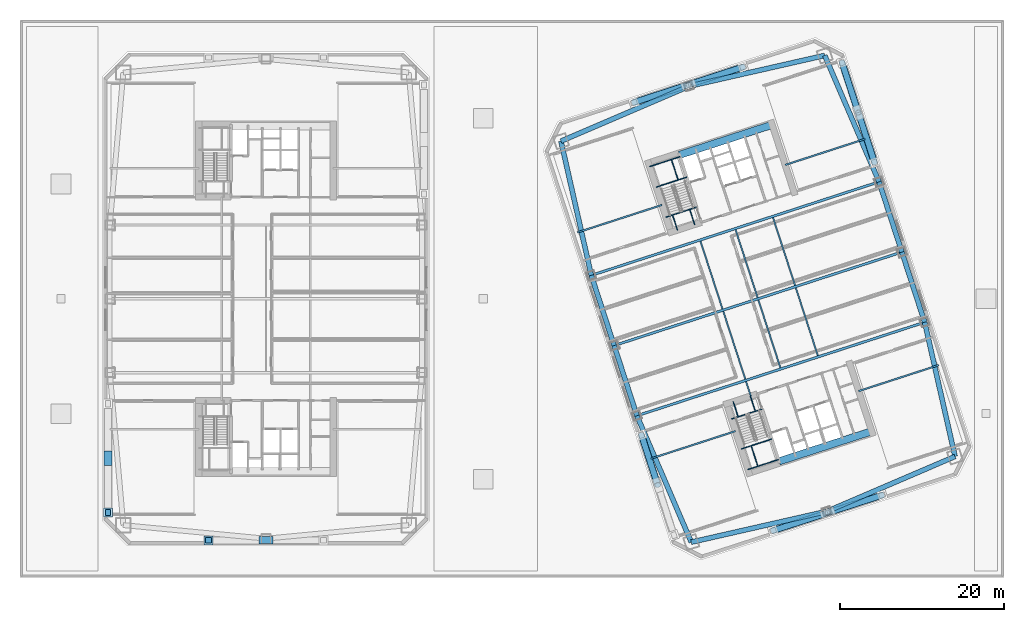
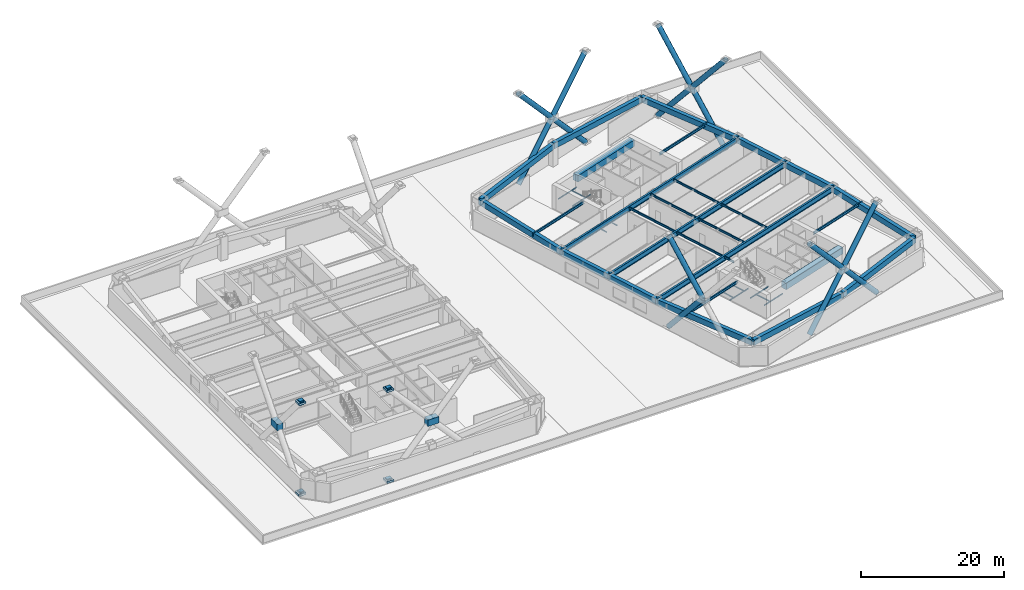
# One storey, part 2 of 20: 40 beams, 14 members, 10 plates.
"""IFC4 building model written with IfcOpenShell, lengths in metres."""

from ifc_helpers import new_model, si_unit, direction, frame, origin, origin_2d, place, context, subcontext, project, spatial, rectangle, hollow_circle, i_section, extrude, material, layer, layer_set, material_profile, profile_set, type_object, element, save


model = new_model("IFC4")

# Units and contexts
model_context = context("Model", 3, precision=1e-05, world=origin(), true_north=direction((0.0, 1.0)))
body_context = subcontext(model_context, "Body", "Model", "MODEL_VIEW")
ifc_project = project(units=[si_unit("LENGTHUNIT", "METRE"), si_unit("AREAUNIT", "SQUARE_METRE"), si_unit("VOLUMEUNIT", "CUBIC_METRE"), si_unit("PLANEANGLEUNIT", "RADIAN"), si_unit("MASSUNIT", "GRAM", prefix="KILO")], contexts=[model_context])

# Site, building, storey
site_placement = place(None, origin())
site = spatial("IfcSite", under=ifc_project, at=site_placement, CompositionType="ELEMENT")
building_placement = place(site_placement, origin())
building = spatial("IfcBuilding", under=site, at=building_placement, Name="Qiaolan Cultural Towers", CompositionType="ELEMENT")
storey_placement = place(building_placement, frame((0.0, 0.0, 26.0)))
storey = spatial("IfcBuildingStorey", under=building, at=storey_placement, Name="L05", CompositionType="ELEMENT", Elevation=26.0)

# Beams
ifc_material_1 = material(Name="Steel Q355B", Category="steel")
ifc_material_profile_1 = material_profile(ifc_material_1, i_section(OverallWidth=0.300048828125, OverallDepth=0.89990234375, WebThickness=0.01611328125, FlangeThickness=0.028076171875, at=origin_2d()), Name="HN900x300x16x28")
ifc_profile_set_1 = profile_set([ifc_material_profile_1], Name="Steel Q355B")
beam_type_1 = type_object("IfcBeamType", Name="BM-HN900x300x16x28", PredefinedType="BEAM", material=ifc_profile_set_1)
beam_1_placement = place(storey_placement, frame((75.234130859375, 19.739013671875, 3.2900390625), z_axis=(0.951055702987, 0.309019497469, 0.0), x_axis=(-0.309019497469, 0.951055702987, 0.0)))
element("IfcBeam", 1, at=beam_1_placement, inside=storey, type_object=beam_type_1, Name="L05 T2 Primary Transverse Girder V1", PredefinedType="BEAM", context=body_context, shape_type="SweptSolid", body=[
    extrude(i_section(OverallWidth=0.300048828125, OverallDepth=0.89990234375, WebThickness=0.01611328125, FlangeThickness=0.028076171875, at=origin_2d()), origin(), (0.0, 0.0, 1.0), 36.900146484375),
])
beam_2_placement = place(storey_placement, frame((72.453125, 28.298583984375, 3.2900390625), z_axis=(0.951055071173, 0.309021441968, 0.0), x_axis=(-0.309021441968, 0.951055071173, 0.0)))
element("IfcBeam", 2, at=beam_2_placement, inside=storey, type_object=beam_type_1, Name="L05 T2 Primary Transverse Girder V2", PredefinedType="BEAM", context=body_context, shape_type="SweptSolid", body=[
    extrude(i_section(OverallWidth=0.300048828125, OverallDepth=0.89990234375, WebThickness=0.01611328125, FlangeThickness=0.028076171875, at=origin_2d()), origin(), (0.0, 0.0, 1.0), 36.89990234375),
])
beam_3_placement = place(storey_placement, frame((69.671875, 36.858154296875, 3.2900390625), z_axis=(0.951055702987, 0.309019497469, 0.0), x_axis=(-0.309019497469, 0.951055702987, 0.0)))
element("IfcBeam", 3, at=beam_3_placement, inside=storey, type_object=beam_type_1, Name="L05 T2 Primary Transverse Girder V3", PredefinedType="BEAM", context=body_context, shape_type="SweptSolid", body=[
    extrude(i_section(OverallWidth=0.300048828125, OverallDepth=0.89990234375, WebThickness=0.01611328125, FlangeThickness=0.028076171875, at=origin_2d()), origin(), (0.0, 0.0, 1.0), 36.900146484375),
])
ifc_material_2 = material(Name="Steel Q355B", Category="steel")
ifc_material_profile_2 = material_profile(ifc_material_2, i_section(OverallWidth=0.175048828125, OverallDepth=0.35009765625, WebThickness=0.007080078125, FlangeThickness=0.010986328125, at=origin_2d()), Name="HN350x175x7x11")
ifc_profile_set_2 = profile_set([ifc_material_profile_2], Name="Steel Q355B")
beam_type_2 = type_object("IfcBeamType", Name="BM-JST-HN350x175x7x11", PredefinedType="JOIST", material=ifc_profile_set_2)
beam_4_placement = place(storey_placement, frame((89.119384765625, 22.147705078125, 3.56494140625), z_axis=(-0.308933885266, 0.951083516067, 0.0), x_axis=(-0.951083516067, -0.308933885266, 0.0)))
element("IfcBeam", 4, at=beam_4_placement, inside=storey, type_object=beam_type_2, Name="L05 T2 Secondary Floor Joist U1-1", PredefinedType="JOIST", context=body_context, shape_type="SweptSolid", body=[
    extrude(i_section(OverallWidth=0.175048828125, OverallDepth=0.35009765625, WebThickness=0.007080078125, FlangeThickness=0.010986328125, at=origin_2d()), origin(), (0.0, 0.0, 1.0), 1.85009765625),
])
for number, where, z_axis, x_axis, name in (
    (5, (88.455078125, 24.192626953125, 3.56494140625), (-0.309020714809, 0.951055307445, 0.0), (-0.951055307445, -0.309020714809, 0.0), "L05 T2 Secondary Floor Joist U1-2"),
    (6, (85.673828125, 32.752197265625, 3.56494140625), (-0.309020714809, 0.951055307445, 0.0), (-0.951055307445, -0.309020714809, 0.0), "L05 T2 Secondary Floor Joist U1-3"),
    (7, (92.73486328125, 25.583251953125, 3.56494140625), (-0.309020714809, 0.951055307445, 0.0), (-0.951055307445, -0.309020714809, 0.0), "L05 T2 Secondary Floor Joist U2-2"),
    (8, (89.95361328125, 34.142578125, 3.56494140625), (-0.309020714809, 0.951055307445, 0.0), (-0.951055307445, -0.309020714809, 0.0), "L05 T2 Secondary Floor Joist U2-3"),
    (9, (97.2998046875, 27.06640625, 3.56494140625), (-0.309020714809, 0.951055307445, 0.0), (-0.951055307445, -0.309020714809, 0.0), "L05 T2 Secondary Floor Joist U3-2"),
    (10, (94.518798828125, 35.6259765625, 3.56494140625), (-0.309020714809, 0.951055307445, 0.0), (-0.951055307445, -0.309020714809, 0.0), "L05 T2 Secondary Floor Joist U3-3"),
):
    element("IfcBeam", number, at=place(storey_placement, frame(where, z_axis=z_axis, x_axis=x_axis)), inside=storey, type_object=beam_type_2, Name=name, PredefinedType="JOIST", context=body_context, shape_type="SweptSolid", body=[
        extrude(i_section(OverallWidth=0.175048828125, OverallDepth=0.35009765625, WebThickness=0.007080078125, FlangeThickness=0.010986328125, at=origin_2d()), origin(), (0.0, 0.0, 1.0), 8.699951171875),
    ])
ifc_material_3 = material(Name="Steel Q355B", Category="steel")
ifc_material_profile_3 = material_profile(ifc_material_3, i_section(OverallWidth=0.199951171875, OverallDepth=0.449951171875, WebThickness=0.009033203125, FlangeThickness=0.013916015625, at=origin_2d()), Name="HN450x200x9x14")
ifc_profile_set_3 = profile_set([ifc_material_profile_3], Name="Steel Q355B")
beam_type_3 = type_object("IfcBeamType", Name="BM-LNT-HN450x200x9x14", PredefinedType="LINTEL", material=ifc_profile_set_3)
beam_5_placement = place(storey_placement, frame((87.252685546875, 17.861083984375, 3.514892578125), z_axis=(-0.95105688584, -0.30901585703, 0.0), x_axis=(0.30901585703, -0.95105688584, 0.0)))
element("IfcBeam", 11, at=beam_5_placement, inside=storey, type_object=beam_type_3, Name="L05 T2 Core Flank Tie Lintel WS", PredefinedType="LINTEL", context=body_context, shape_type="SweptSolid", body=[
    extrude(i_section(OverallWidth=0.199951171875, OverallDepth=0.449951171875, WebThickness=0.009033203125, FlangeThickness=0.013916015625, at=origin_2d()), origin(), (0.0, 0.0, 1.0), 10.849853515625),
])
beam_6_placement = place(storey_placement, frame((78.291259765625, 45.44189453125, 3.514892578125), z_axis=(-0.951052421511, -0.309029596542, 0.0), x_axis=(0.309029596542, -0.951052421511, 0.0)))
element("IfcBeam", 12, at=beam_6_placement, inside=storey, type_object=beam_type_3, Name="L05 T2 Core Flank Tie Lintel WN", PredefinedType="LINTEL", context=body_context, shape_type="SweptSolid", body=[
    extrude(i_section(OverallWidth=0.199951171875, OverallDepth=0.449951171875, WebThickness=0.009033203125, FlangeThickness=0.013916015625, at=origin_2d()), origin(), (0.0, 0.0, 1.0), 10.85009765625),
])
beam_7_placement = place(storey_placement, frame((102.279296875, 22.74365234375, 3.514892578125), z_axis=(0.951056820587, 0.309016057859, 0.0), x_axis=(-0.309016057859, 0.951056820587, 0.0)))
element("IfcBeam", 13, at=beam_7_placement, inside=storey, type_object=beam_type_3, Name="L05 T2 Core Flank Tie Lintel ES", PredefinedType="LINTEL", context=body_context, shape_type="SweptSolid", body=[
    extrude(i_section(OverallWidth=0.199951171875, OverallDepth=0.449951171875, WebThickness=0.009033203125, FlangeThickness=0.013916015625, at=origin_2d()), origin(), (0.0, 0.0, 1.0), 10.250244140625),
])
beam_8_placement = place(storey_placement, frame((93.31787109375, 50.32421875, 3.514892578125), z_axis=(0.951054546097, 0.309023057955, 0.0), x_axis=(-0.309023057955, 0.951054546097, 0.0)))
element("IfcBeam", 14, at=beam_8_placement, inside=storey, type_object=beam_type_3, Name="L05 T2 Core Flank Tie Lintel EN", PredefinedType="LINTEL", context=body_context, shape_type="SweptSolid", body=[
    extrude(i_section(OverallWidth=0.199951171875, OverallDepth=0.449951171875, WebThickness=0.009033203125, FlangeThickness=0.013916015625, at=origin_2d()), origin(), (0.0, 0.0, 1.0), 10.25),
])
ifc_material_4 = material(Name="Concrete C50", Category="concrete")
ifc_material_profile_4 = material_profile(ifc_material_4, rectangle(XDim=0.89990234375, YDim=1.10009765625, at=origin_2d()), Name="RC900x1100")
ifc_profile_set_4 = profile_set([ifc_material_profile_4], Name="Concrete C50")
beam_type_4 = type_object("IfcBeamType", Name="BM-RC900x1100", PredefinedType="BEAM", material=ifc_profile_set_4)
for number, where, z_axis, x_axis, name in (
    (15, (92.572265625, 14.174560546875, 3.18994140625), (0.951056266386, 0.309017763514, 0.0), (-0.309017763514, 0.951056266386, 0.0), "L05 T2 Core Header Girder S"),
    (16, (80.427978515625, 51.551025390625, 3.18994140625), (0.951056266386, 0.309017763514, 0.0), (-0.309017763514, 0.951056266386, 0.0), "L05 T2 Core Header Girder N"),
):
    element("IfcBeam", number, at=place(storey_placement, frame(where, z_axis=z_axis, x_axis=x_axis)), inside=storey, type_object=beam_type_4, Name=name, PredefinedType="BEAM", context=body_context, shape_type="SweptSolid", body=[
        extrude(rectangle(XDim=0.89990234375, YDim=1.10009765625, at=origin_2d()), origin(), (0.0, 0.0, 1.0), 11.880126953125),
    ])
ifc_material_5 = material(Name="Concrete C50", Category="concrete")
ifc_material_profile_5 = material_profile(ifc_material_5, rectangle(XDim=0.60009765625, YDim=0.949951171875, at=origin_2d()), Name="RC600x950")
ifc_profile_set_5 = profile_set([ifc_material_profile_5], Name="Concrete C50")
beam_type_5 = type_object("IfcBeamType", Name="BM-SPD-RC600x950", PredefinedType="SPANDREL", material=ifc_profile_set_5)
for number, where, z_axis, x_axis, name in (
    (17, (81.862548828125, 4.32275390625, 3.264892578125), (0.975161095889, 0.221496810506, 0.0), (-0.221496810506, 0.975161095889, 0.0), "L05 T2 Perimeter Spandrel Beam 1"),
    (18, (98.420654296875, 8.083740234375, 3.264892578125), (0.919108584923, 0.394004326272, 0.0), (-0.394004326272, 0.919108584923, 0.0), "L05 T2 Perimeter Spandrel Beam 2"),
):
    element("IfcBeam", number, at=place(storey_placement, frame(where, z_axis=z_axis, x_axis=x_axis)), inside=storey, type_object=beam_type_5, Name=name, PredefinedType="SPANDREL", context=body_context, shape_type="SweptSolid", body=[
        extrude(rectangle(XDim=0.60009765625, YDim=0.949951171875, at=origin_2d()), origin(), (0.0, 0.0, 1.0), 16.97998046875),
    ])
beam_9_placement = place(storey_placement, frame((114.027099609375, 14.77392578125, 3.264892578125), z_axis=(-0.220430557386, 0.975402670373, 0.0), x_axis=(-0.975402670373, -0.220430557386, 0.0)))
element("IfcBeam", 19, at=beam_9_placement, inside=storey, type_object=beam_type_5, Name="L05 T2 Perimeter Spandrel Beam 3", PredefinedType="SPANDREL", context=body_context, shape_type="SweptSolid", body=[
    extrude(rectangle(XDim=0.60009765625, YDim=0.949951171875, at=origin_2d()), origin(), (0.0, 0.0, 1.0), 16.78076171875),
])
for number, where, z_axis, x_axis, name in (
    (20, (110.328125, 31.141845703125, 3.264892578125), (-0.309024734286, 0.951054001411, 0.0), (-0.951054001411, -0.309024734286, 0.0), "L05 T2 Perimeter Spandrel Beam 4"),
    (21, (107.546875, 39.701416015625, 3.264892578125), (-0.309000197986, 0.951061973609, 0.0), (-0.951061973609, -0.309000197986, 0.0), "L05 T2 Perimeter Spandrel Beam 5"),
):
    element("IfcBeam", number, at=place(storey_placement, frame(where, z_axis=z_axis, x_axis=x_axis)), inside=storey, type_object=beam_type_5, Name=name, PredefinedType="SPANDREL", context=body_context, shape_type="SweptSolid", body=[
        extrude(rectangle(XDim=0.60009765625, YDim=0.949951171875, at=origin_2d()), origin(), (0.0, 0.0, 1.0), 9.0),
    ])
beam_10_placement = place(storey_placement, frame((104.765869140625, 48.260986328125, 3.264892578125), z_axis=(-0.394998896054, 0.918681594524, 0.0), x_axis=(-0.918681594524, -0.394998896054, 0.0)))
element("IfcBeam", 22, at=beam_10_placement, inside=storey, type_object=beam_type_5, Name="L05 T2 Perimeter Spandrel Beam 6", PredefinedType="SPANDREL", context=body_context, shape_type="SweptSolid", body=[
    extrude(rectangle(XDim=0.60009765625, YDim=0.949951171875, at=origin_2d()), origin(), (0.0, 0.0, 1.0), 16.78076171875),
])
for number, where, z_axis, x_axis, name in (
    (23, (98.137451171875, 63.67724609375, 3.264892578125), (-0.975161095889, -0.221496810506, 0.0), (0.221496810506, -0.975161095889, 0.0), "L05 T2 Perimeter Spandrel Beam 7"),
    (24, (81.579345703125, 59.916259765625, 3.264892578125), (-0.919108584923, -0.394004326272, 0.0), (0.394004326272, -0.919108584923, 0.0), "L05 T2 Perimeter Spandrel Beam 8"),
):
    element("IfcBeam", number, at=place(storey_placement, frame(where, z_axis=z_axis, x_axis=x_axis)), inside=storey, type_object=beam_type_5, Name=name, PredefinedType="SPANDREL", context=body_context, shape_type="SweptSolid", body=[
        extrude(rectangle(XDim=0.60009765625, YDim=0.949951171875, at=origin_2d()), origin(), (0.0, 0.0, 1.0), 16.97998046875),
    ])
beam_11_placement = place(storey_placement, frame((65.972900390625, 53.22607421875, 3.264892578125), z_axis=(0.220430557386, -0.975402670373, 0.0), x_axis=(0.975402670373, 0.220430557386, 0.0)))
element("IfcBeam", 25, at=beam_11_placement, inside=storey, type_object=beam_type_5, Name="L05 T2 Perimeter Spandrel Beam 9", PredefinedType="SPANDREL", context=body_context, shape_type="SweptSolid", body=[
    extrude(rectangle(XDim=0.60009765625, YDim=0.949951171875, at=origin_2d()), origin(), (0.0, 0.0, 1.0), 16.78076171875),
])
for number, where, z_axis, x_axis, name in (
    (26, (69.671875, 36.858154296875, 3.264892578125), (0.309024734286, -0.951054001411, 0.0), (0.951054001411, 0.309024734286, 0.0), "L05 T2 Perimeter Spandrel Beam 10"),
    (27, (72.453125, 28.298583984375, 3.264892578125), (0.309000197986, -0.951061973609, 0.0), (0.951061973609, 0.309000197986, 0.0), "L05 T2 Perimeter Spandrel Beam 11"),
):
    element("IfcBeam", number, at=place(storey_placement, frame(where, z_axis=z_axis, x_axis=x_axis)), inside=storey, type_object=beam_type_5, Name=name, PredefinedType="SPANDREL", context=body_context, shape_type="SweptSolid", body=[
        extrude(rectangle(XDim=0.60009765625, YDim=0.949951171875, at=origin_2d()), origin(), (0.0, 0.0, 1.0), 9.0),
    ])
beam_12_placement = place(storey_placement, frame((75.234130859375, 19.739013671875, 3.264892578125), z_axis=(0.394998896054, -0.918681594524, 0.0), x_axis=(0.918681594524, 0.394998896054, 0.0)))
element("IfcBeam", 28, at=beam_12_placement, inside=storey, type_object=beam_type_5, Name="L05 T2 Perimeter Spandrel Beam 12", PredefinedType="SPANDREL", context=body_context, shape_type="SweptSolid", body=[
    extrude(rectangle(XDim=0.60009765625, YDim=0.949951171875, at=origin_2d()), origin(), (0.0, 0.0, 1.0), 16.78076171875),
])
ifc_material_6 = material(Name="Steel Q355B", Category="steel")
ifc_material_profile_6 = material_profile(ifc_material_6, i_section(OverallWidth=0.10009765625, OverallDepth=0.199951171875, WebThickness=0.005615234375, FlangeThickness=0.008056640625, at=origin_2d()), Name="HN200x100x5.5x8")
ifc_profile_set_6 = profile_set([ifc_material_profile_6], Name="Steel Q355B")
beam_type_6 = type_object("IfcBeamType", Name="BM-STTRIM-200", PredefinedType="BEAM", material=ifc_profile_set_6)
beam_13_placement = place(storey_placement, frame((86.770751953125, 19.3447265625, -0.4599609375), z_axis=(0.951047798727, 0.309043823005, 0.0), x_axis=(-0.309043823005, 0.951047798727, 0.0)))
element("IfcBeam", 29, at=beam_13_placement, inside=storey, type_object=beam_type_6, Name="L05 ST-E1 Floor Landing Header Beam", PredefinedType="BEAM", context=body_context, shape_type="SweptSolid", body=[
    extrude(i_section(OverallWidth=0.10009765625, OverallDepth=0.199951171875, WebThickness=0.005615234375, FlangeThickness=0.008056640625, at=origin_2d()), origin(), (0.0, 0.0, 1.0), 3.919921875),
])
for number, where, z_axis, x_axis, name in (
    (30, (86.9794921875, 21.452392578125, -0.4599609375), (0.309083226701, -0.951034993558, 0.0), (0.951034993558, 0.309083226701, 0.0), "L05 ST-E1 Floor Landing Stringer 1"),
    (31, (89.07177734375, 22.13232421875, -0.4599609375), (0.309083226701, -0.951034993558, 0.0), (0.951034993558, 0.309083226701, 0.0), "L05 ST-E1 Floor Landing Stringer 2"),
):
    element("IfcBeam", number, at=place(storey_placement, frame(where, z_axis=z_axis, x_axis=x_axis)), inside=storey, type_object=beam_type_6, Name=name, PredefinedType="BEAM", context=body_context, shape_type="SweptSolid", body=[
        extrude(i_section(OverallWidth=0.10009765625, OverallDepth=0.199951171875, WebThickness=0.005615234375, FlangeThickness=0.008056640625, at=origin_2d()), origin(), (0.0, 0.0, 1.0), 1.93994140625),
    ])
for number, where, z_axis, x_axis, name in (
    (32, (87.9599609375, 15.6845703125, 1.699951171875), (0.951066103084, 0.308987487715, 0.0), (-0.308987487715, 0.951066103084, 0.0), "L05 ST-E1 Stair Landing Support Beam 1-1"),
    (33, (88.773193359375, 13.181884765625, 1.699951171875), (0.951047798727, 0.309043823005, 0.0), (-0.309043823005, 0.951047798727, 0.0), "L05 ST-E1 Stair Landing Support Beam 1-2"),
):
    element("IfcBeam", number, at=place(storey_placement, frame(where, z_axis=z_axis, x_axis=x_axis)), inside=storey, type_object=beam_type_6, Name=name, PredefinedType="BEAM", context=body_context, shape_type="SweptSolid", body=[
        extrude(i_section(OverallWidth=0.10009765625, OverallDepth=0.199951171875, WebThickness=0.005615234375, FlangeThickness=0.008056640625, at=origin_2d()), origin(), (0.0, 0.0, 1.0), 3.919921875),
    ])
beam_14_placement = place(storey_placement, frame((89.167724609375, 16.076904296875, 1.699951171875), z_axis=(0.309065092166, -0.951040887031, 0.0), x_axis=(0.951040887031, 0.309065092166, 0.0)))
element("IfcBeam", 34, at=beam_14_placement, inside=storey, type_object=beam_type_6, Name="L05 ST-E1 Stair Landing Trimmer 1", PredefinedType="BEAM", context=body_context, shape_type="SweptSolid", body=[
    extrude(i_section(OverallWidth=0.10009765625, OverallDepth=0.199951171875, WebThickness=0.005615234375, FlangeThickness=0.008056640625, at=origin_2d()), origin(), (0.0, 0.0, 1.0), 2.63134765625),
])
beam_15_placement = place(storey_placement, frame((78.773193359375, 43.958251953125, -0.4599609375), z_axis=(0.951072048947, 0.3089691857, 0.0), x_axis=(-0.3089691857, 0.951072048947, 0.0)))
element("IfcBeam", 35, at=beam_15_placement, inside=storey, type_object=beam_type_6, Name="L05 ST-E2 Floor Landing Header Beam", PredefinedType="BEAM", context=body_context, shape_type="SweptSolid", body=[
    extrude(i_section(OverallWidth=0.10009765625, OverallDepth=0.199951171875, WebThickness=0.005615234375, FlangeThickness=0.008056640625, at=origin_2d()), origin(), (0.0, 0.0, 1.0), 3.920166015625),
])
for number, where, z_axis, x_axis, name in (
    (36, (80.18115234375, 42.375732421875, -0.4599609375), (-0.308969394428, 0.951071981138, 0.0), (-0.951071981138, -0.308969394428, 0.0), "L05 ST-E2 Floor Landing Stringer 1"),
    (37, (82.2734375, 43.0556640625, -0.4599609375), (-0.308969394428, 0.951071981138, 0.0), (-0.951071981138, -0.308969394428, 0.0), "L05 ST-E2 Floor Landing Stringer 2"),
):
    element("IfcBeam", number, at=place(storey_placement, frame(where, z_axis=z_axis, x_axis=x_axis)), inside=storey, type_object=beam_type_6, Name=name, PredefinedType="BEAM", context=body_context, shape_type="SweptSolid", body=[
        extrude(i_section(OverallWidth=0.10009765625, OverallDepth=0.199951171875, WebThickness=0.005615234375, FlangeThickness=0.008056640625, at=origin_2d()), origin(), (0.0, 0.0, 1.0), 1.93994140625),
    ])
beam_16_placement = place(storey_placement, frame((77.583984375, 47.618408203125, 1.699951171875), z_axis=(0.951047798727, 0.309043823005, 0.0), x_axis=(-0.309043823005, 0.951047798727, 0.0)))
element("IfcBeam", 38, at=beam_16_placement, inside=storey, type_object=beam_type_6, Name="L05 ST-E2 Stair Landing Support Beam 1-1", PredefinedType="BEAM", context=body_context, shape_type="SweptSolid", body=[
    extrude(i_section(OverallWidth=0.10009765625, OverallDepth=0.199951171875, WebThickness=0.005615234375, FlangeThickness=0.008056640625, at=origin_2d()), origin(), (0.0, 0.0, 1.0), 3.919921875),
])
beam_17_placement = place(storey_placement, frame((76.770751953125, 50.12109375, 1.699951171875), z_axis=(0.951072048947, 0.3089691857, 0.0), x_axis=(-0.3089691857, 0.951072048947, 0.0)))
element("IfcBeam", 39, at=beam_17_placement, inside=storey, type_object=beam_type_6, Name="L05 ST-E2 Stair Landing Support Beam 1-2", PredefinedType="BEAM", context=body_context, shape_type="SweptSolid", body=[
    extrude(i_section(OverallWidth=0.10009765625, OverallDepth=0.199951171875, WebThickness=0.005615234375, FlangeThickness=0.008056640625, at=origin_2d()), origin(), (0.0, 0.0, 1.0), 3.920166015625),
])
beam_18_placement = place(storey_placement, frame((80.25634765625, 48.48681640625, 1.699951171875), z_axis=(-0.308981166967, 0.95106815658, 0.0), x_axis=(-0.95106815658, -0.308981166967, 0.0)))
element("IfcBeam", 40, at=beam_18_placement, inside=storey, type_object=beam_type_6, Name="L05 ST-E2 Stair Landing Trimmer 1", PredefinedType="BEAM", context=body_context, shape_type="SweptSolid", body=[
    extrude(i_section(OverallWidth=0.10009765625, OverallDepth=0.199951171875, WebThickness=0.005615234375, FlangeThickness=0.008056640625, at=origin_2d()), origin(), (0.0, 0.0, 1.0), 2.631103515625),
])

# Members
ifc_material_7 = material(Name="Steel Q390GJB", Category="steel")
ifc_material_profile_7 = material_profile(ifc_material_7, hollow_circle(Radius=0.39990234375, WallThickness=0.0400390625, at=origin_2d()), Name="CHS800x40")
ifc_profile_set_7 = profile_set([ifc_material_profile_7], Name="Steel Q390GJB")
member_type = type_object("IfcMemberType", Name="MBR-BRC-CHS800x40", PredefinedType="BRACE", material=ifc_profile_set_7)
member_1_placement = place(storey_placement, frame((77.77099609375, 11.2841796875, 7.925048828125), z_axis=(-0.196839689402, 0.605841193561, 0.770850559357), x_axis=(-0.951061151536, -0.309002728207, 0.0)))
element("IfcMember", 41, at=member_1_placement, inside=storey, type_object=member_type, Name="T2 WEST Perimeter Frame Diagonal E-Z1-M1-D1B", PredefinedType="BRACE", context=body_context, shape_type="SweptSolid", body=[
    extrude(hollow_circle(Radius=0.39990234375, WallThickness=0.0400390625, at=origin_2d()), origin(), (0.0, 0.0, 1.0), 10.086181640625),
])
for number, where, z_axis, x_axis, name in (
    (42, (75.78564453125, 17.394775390625, 0.14990234375), (0.196836016639, -0.605829889384, 0.770860381446), (0.951061151536, 0.309002728207, 0.0), "T2 WEST Perimeter Frame Diagonal E-Z1-M1-D2A"),
    (43, (104.21435546875, 50.605224609375, 0.14990234375), (-0.196836016639, 0.605829889384, 0.770860381446), (-0.951061151536, -0.309002728207, 0.0), "T2 EAST Perimeter Frame Diagonal E-Z1-M1-D1A"),
):
    element("IfcMember", number, at=place(storey_placement, frame(where, z_axis=z_axis, x_axis=x_axis)), inside=storey, type_object=member_type, Name=name, PredefinedType="BRACE", context=body_context, shape_type="SweptSolid", body=[
        extrude(hollow_circle(Radius=0.39990234375, WallThickness=0.0400390625, at=origin_2d()), origin(), (0.0, 0.0, 1.0), 10.08642578125),
    ])
member_2_placement = place(storey_placement, frame((102.22900390625, 56.7158203125, 7.925048828125), z_axis=(-0.196842576009, 0.605825872153, 0.770861863696), x_axis=(-0.951057523153, -0.309013895568, 0.0)))
element("IfcMember", 44, at=member_2_placement, inside=storey, type_object=member_type, Name="T2 EAST Perimeter Frame Diagonal E-Z1-M1-D1B", PredefinedType="BRACE", context=body_context, shape_type="SweptSolid", body=[
    extrude(hollow_circle(Radius=0.39990234375, WallThickness=0.0400390625, at=origin_2d()), origin(), (0.0, 0.0, 1.0), 10.0859375),
])
for number, where, z_axis, x_axis, name in (
    (45, (100.24365234375, 62.826171875, 0.14990234375), (0.196838903085, -0.60581456793, 0.770871685507), (0.951057523153, 0.309013895568, 0.0), "T2 EAST Perimeter Frame Diagonal E-Z1-M1-D2A"),
    (46, (102.22900390625, 56.7158203125, 7.925048828125), (0.196839689402, -0.605841193561, 0.770850559357), (0.951061151536, 0.309002728207, 0.0), "T2 EAST Perimeter Frame Diagonal E-Z1-M1-D2B"),
):
    element("IfcMember", number, at=place(storey_placement, frame(where, z_axis=z_axis, x_axis=x_axis)), inside=storey, type_object=member_type, Name=name, PredefinedType="BRACE", context=body_context, shape_type="SweptSolid", body=[
        extrude(hollow_circle(Radius=0.39990234375, WallThickness=0.0400390625, at=origin_2d()), origin(), (0.0, 0.0, 1.0), 10.086181640625),
    ])
for number, where, z_axis, x_axis, name in (
    (47, (91.8251953125, 5.73046875, 0.14990234375), (0.636332997253, 0.206759217972, 0.743189708211), (-0.309019824916, 0.951055596592, 0.0), "T2 SOUTH Perimeter Frame Diagonal E-Z1-M1-D1A"),
    (48, (98.482421875, 7.8935546875, 7.925048828125), (0.636357920008, 0.206759733443, 0.743168224745), (-0.309009574742, 0.951058927048, 0.0), "T2 SOUTH Perimeter Frame Diagonal E-Z1-M1-D1B"),
    (49, (105.139892578125, 10.056640625, 0.14990234375), (-0.636346883889, -0.206756147686, 0.743178672163), (0.309009574742, -0.951058927048, 0.0), "T2 SOUTH Perimeter Frame Diagonal E-Z1-M1-D2A"),
):
    element("IfcMember", number, at=place(storey_placement, frame(where, z_axis=z_axis, x_axis=x_axis)), inside=storey, type_object=member_type, Name=name, PredefinedType="BRACE", context=body_context, shape_type="SweptSolid", body=[
        extrude(hollow_circle(Radius=0.39990234375, WallThickness=0.0400390625, at=origin_2d()), origin(), (0.0, 0.0, 1.0), 10.4619140625),
    ])
member_3_placement = place(storey_placement, frame((98.482421875, 7.8935546875, 7.925048828125), z_axis=(-0.636344033458, -0.206762803889, 0.74317926102), x_axis=(0.309019824916, -0.951055596592, 0.0)))
element("IfcMember", 50, at=member_3_placement, inside=storey, type_object=member_type, Name="T2 SOUTH Perimeter Frame Diagonal E-Z1-M1-D2B", PredefinedType="BRACE", context=body_context, shape_type="SweptSolid", body=[
    extrude(hollow_circle(Radius=0.39990234375, WallThickness=0.0400390625, at=origin_2d()), origin(), (0.0, 0.0, 1.0), 10.461669921875),
])
member_4_placement = place(storey_placement, frame((74.860107421875, 57.943359375, 0.14990234375), z_axis=(0.636346883889, 0.206756147686, 0.743178672163), x_axis=(-0.309009574742, 0.951058927048, 0.0)))
element("IfcMember", 51, at=member_4_placement, inside=storey, type_object=member_type, Name="T2 NORTH Perimeter Frame Diagonal E-Z1-M1-D1A", PredefinedType="BRACE", context=body_context, shape_type="SweptSolid", body=[
    extrude(hollow_circle(Radius=0.39990234375, WallThickness=0.0400390625, at=origin_2d()), origin(), (0.0, 0.0, 1.0), 10.4619140625),
])
member_5_placement = place(storey_placement, frame((81.517578125, 60.1064453125, 7.925048828125), z_axis=(0.636344033458, 0.206762803889, 0.74317926102), x_axis=(-0.309019824916, 0.951055596592, 0.0)))
element("IfcMember", 52, at=member_5_placement, inside=storey, type_object=member_type, Name="T2 NORTH Perimeter Frame Diagonal E-Z1-M1-D1B", PredefinedType="BRACE", context=body_context, shape_type="SweptSolid", body=[
    extrude(hollow_circle(Radius=0.39990234375, WallThickness=0.0400390625, at=origin_2d()), origin(), (0.0, 0.0, 1.0), 10.461669921875),
])
for number, where, z_axis, x_axis, name in (
    (53, (88.1748046875, 62.26953125, 0.14990234375), (-0.636332997253, -0.206759217972, 0.743189708211), (0.309019824916, -0.951055596592, 0.0), "T2 NORTH Perimeter Frame Diagonal E-Z1-M1-D2A"),
    (54, (81.517578125, 60.1064453125, 7.925048828125), (-0.636357920008, -0.206759733443, 0.743168224745), (0.309009574742, -0.951058927048, 0.0), "T2 NORTH Perimeter Frame Diagonal E-Z1-M1-D2B"),
):
    element("IfcMember", number, at=place(storey_placement, frame(where, z_axis=z_axis, x_axis=x_axis)), inside=storey, type_object=member_type, Name=name, PredefinedType="BRACE", context=body_context, shape_type="SweptSolid", body=[
        extrude(hollow_circle(Radius=0.39990234375, WallThickness=0.0400390625, at=origin_2d()), origin(), (0.0, 0.0, 1.0), 10.4619140625),
    ])

# Plates
ifc_material_8 = material(Name="Steel Q355B", Category="steel")
ifc_layer_1 = layer(ifc_material_8, 0.035888671875)
ifc_layer_set_1 = layer_set([ifc_layer_1], Name="Steel Q355B")
plate_type_1 = type_object("IfcPlateType", Name="PL-CONN-36", PredefinedType="USERDEFINED", material=ifc_layer_set_1)
for number, where, z_axis, x_axis, name in (
    (55, (10.75, 7.949951171875, -0.22021484375), (0.0, 0.0, 1.0), (0.0, 1.0, 0.0), "L05 Brace End Connection Gusset Plate GP-02-0196"),
    (56, (10.75, 7.949951171875, 15.330078125), (0.0, 0.0, 1.0), (0.0, 1.0, 0.0), "L05 Brace End Connection Gusset Plate GP-02-0199"),
    (57, (23.0, 4.550048828125, -0.22021484375), (0.0, 0.0, 1.0), (1.0, 0.0, 0.0), "L05 Brace End Connection Gusset Plate GP-02-0204"),
    (58, (23.0, 4.550048828125, 15.330078125), (0.0, 0.0, 1.0), (1.0, 0.0, 0.0), "L05 Brace End Connection Gusset Plate GP-02-0207"),
):
    element("IfcPlate", number, at=place(storey_placement, frame(where, z_axis=z_axis, x_axis=x_axis)), inside=storey, type_object=plate_type_1, Name=name, ObjectType="GUSSET_PLATE", PredefinedType="USERDEFINED", context=body_context, shape_type="SweptSolid", body=[
        extrude(rectangle(XDim=0.739990234375, YDim=0.6201171875, at=origin_2d()), origin(), (0.0, 0.0, 1.0), 0.739990234375),
    ])
ifc_material_9 = material(Name="Steel Q355B", Category="steel")
ifc_layer_2 = layer(ifc_material_9, 0.030029296875)
ifc_layer_set_2 = layer_set([ifc_layer_2], Name="Steel Q355B")
plate_type_2 = type_object("IfcPlateType", Name="PL-ENDCAP-30", PredefinedType="USERDEFINED", material=ifc_layer_set_2)
for number, where, z_axis, x_axis, name in (
    (59, (10.75, 7.949951171875, -0.025146484375), (0.0, 0.0, 1.0), (0.0, 1.0, 0.0), "Hollow Brace End Seal Cap Plate CP-01"),
    (60, (10.75, 7.949951171875, 15.52490234375), (0.0, 0.0, 1.0), (0.0, 1.0, 0.0), "Hollow Brace End Seal Cap Plate CP-01"),
    (61, (23.0, 4.550048828125, -0.025146484375), (0.0, 0.0, 1.0), (1.0, 0.0, 0.0), "Hollow Brace End Seal Cap Plate CP-01"),
    (62, (23.0, 4.550048828125, 15.52490234375), (0.0, 0.0, 1.0), (1.0, 0.0, 0.0), "Hollow Brace End Seal Cap Plate CP-01"),
):
    element("IfcPlate", number, at=place(storey_placement, frame(where, z_axis=z_axis, x_axis=x_axis)), inside=storey, type_object=plate_type_2, Name=name, ObjectType="BASE_PLATE", PredefinedType="USERDEFINED", context=body_context, shape_type="SweptSolid", body=[
        extrude(rectangle(XDim=1.10009765625, YDim=1.10009765625, at=origin_2d()), origin(), (0.0, 0.0, 1.0), 0.35009765625),
    ])
ifc_material_10 = material(Name="Steel Q390GJB", Category="steel")
ifc_layer_3 = layer(ifc_material_10, 0.0439453125)
ifc_layer_set_3 = layer_set([ifc_layer_3], Name="Steel Q390GJB")
plate_type_3 = type_object("IfcPlateType", Name="PL-NODE-ND02", PredefinedType="USERDEFINED", material=ifc_layer_set_3)
plate_1_placement = place(storey_placement, frame((10.75, 14.574951171875, 7.375), z_axis=(0.0, 0.0, 1.0), x_axis=(0.0, 1.0, 0.0)))
element("IfcPlate", 63, at=plate_1_placement, inside=storey, type_object=plate_type_3, Name="Perimeter Frame Gusset Node Assembly ND-02", ObjectType="GUSSET_PLATE", PredefinedType="USERDEFINED", context=body_context, shape_type="SweptSolid", body=[
    extrude(rectangle(XDim=1.760009765625, YDim=0.9599609375, at=origin_2d()), origin(), (0.0, 0.0, 1.0), 1.10009765625),
])
ifc_material_11 = material(Name="Steel Q390GJB", Category="steel")
ifc_layer_4 = layer(ifc_material_11, 0.0400390625)
ifc_layer_set_4 = layer_set([ifc_layer_4], Name="Steel Q390GJB")
plate_type_4 = type_object("IfcPlateType", Name="PL-NODE-ND04", PredefinedType="USERDEFINED", material=ifc_layer_set_4)
plate_2_placement = place(storey_placement, frame((30.0, 4.550048828125, 7.375), z_axis=(0.0, 0.0, 1.0), x_axis=(1.0, 0.0, 0.0)))
element("IfcPlate", 64, at=plate_2_placement, inside=storey, type_object=plate_type_4, Name="Perimeter Frame Gusset Node Assembly ND-04", ObjectType="GUSSET_PLATE", PredefinedType="USERDEFINED", context=body_context, shape_type="SweptSolid", body=[
    extrude(rectangle(XDim=1.760009765625, YDim=0.9599609375, at=origin_2d()), origin(), (0.0, 0.0, 1.0), 1.10009765625),
])

save(model, "model.ifc")
